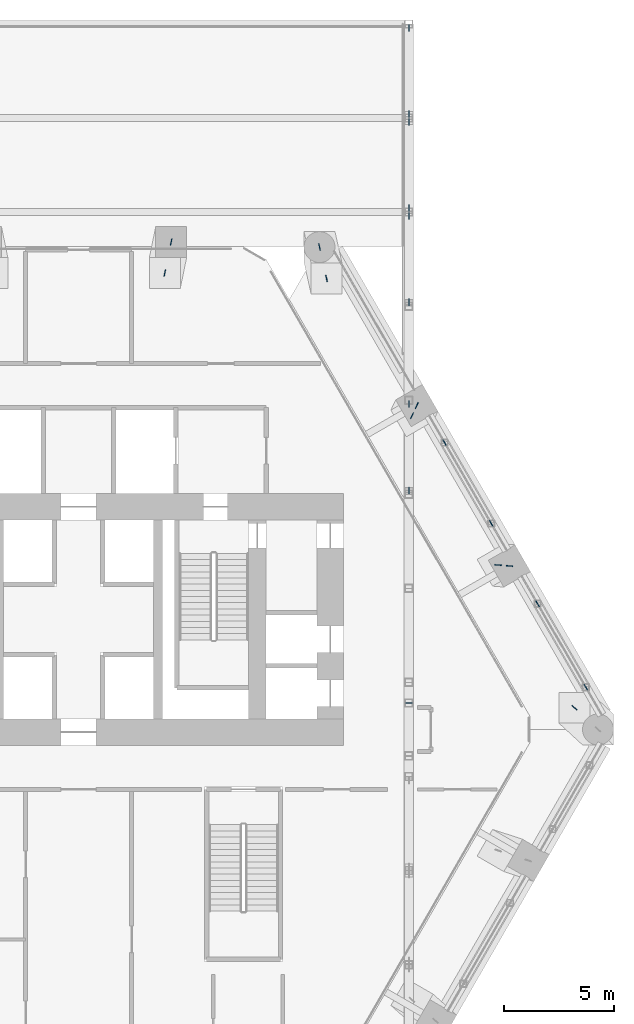
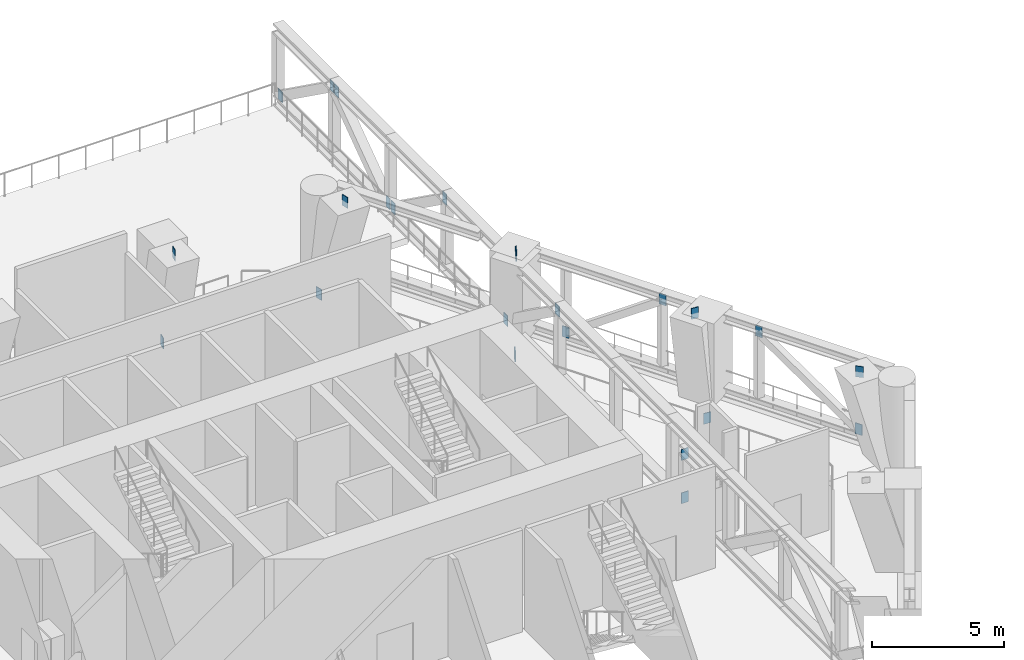
# One storey, part 15 of 20: 23 discrete accessories.
"""IFC4 building model written with IfcOpenShell, lengths in metres."""

from ifc_helpers import new_model, si_unit, direction, frame, origin, origin_2d, place, context, subcontext, project, spatial, rectangle, extrude, material, layer, layer_set, type_object, element, save


model = new_model("IFC4")

# Units and contexts
model_context = context("Model", 3, precision=1e-05, world=origin(), true_north=direction((0.0, 1.0)))
body_context = subcontext(model_context, "Body", "Model", "MODEL_VIEW")
ifc_project = project(units=[si_unit("LENGTHUNIT", "METRE"), si_unit("AREAUNIT", "SQUARE_METRE"), si_unit("VOLUMEUNIT", "CUBIC_METRE"), si_unit("PLANEANGLEUNIT", "RADIAN"), si_unit("MASSUNIT", "GRAM", prefix="KILO")], contexts=[model_context])

# Site, building, storey
site_placement = place(None, origin())
site = spatial("IfcSite", under=ifc_project, at=site_placement, CompositionType="ELEMENT")
building_placement = place(site_placement, origin())
building = spatial("IfcBuilding", under=site, at=building_placement, Name="Ostrander Bayou Hotel Tower", CompositionType="ELEMENT")
storey_placement = place(building_placement, frame((0.0, 0.0, 80.5)))
storey = spatial("IfcBuildingStorey", under=building, at=storey_placement, Name="L20", CompositionType="ELEMENT", Elevation=80.5)

# Discrete accessories
ifc_material = material(Name="Steel ASTM A572 Gr 50", Category="steel")
ifc_layer = layer(ifc_material, 0.030029296875)
ifc_layer_set = layer_set([ifc_layer], Name="GP1 gusset plate 30 mm")
discrete_accessory_type = type_object("IfcDiscreteAccessoryType", Name="GP1 gusset plate 30 mm", PredefinedType="BRACKET", material=ifc_layer_set)
for number, where, z_axis, x_axis, name in (
    (1, (22.980224609375, 0.933349609375, 0.157470703125), (0.0, 0.0, 1.0), (-0.5, 0.866025403784, 0.0), "GP1 gusset plate belt 13"),
    (2, (20.799072265625, 4.711181640625, 3.142578125), (0.0, 0.0, 1.0), (-0.5, 0.866025403784, 0.0), "GP1 gusset plate belt 14"),
    (3, (16.581787109375, 12.015869140625, 0.157470703125), (0.0, 0.0, 1.0), (0.5, -0.866025403784, 0.0), "GP1 gusset plate belt 15"),
    (4, (18.697021484375, 8.352294921875, 3.142578125), (0.0, 0.0, 1.0), (0.5, -0.866025403784, 0.0), "GP1 gusset plate belt 16"),
    (5, (14.965087890625, 30.808349609375, 0.247802734375), (0.0, 0.0, 1.0), (0.0, -1.0, 0.0), "GP1 gusset plate bar 25"),
    (6, (14.965087890625, 26.901611328125, 3.05224609375), (0.0, 0.0, 1.0), (0.0, -1.0, 0.0), "GP1 gusset plate bar 26"),
    (7, (14.965087890625, 22.63916015625, 0.247802734375), (0.0, 0.0, 1.0), (0.0, 1.0, 0.0), "GP1 gusset plate bar 27"),
    (8, (14.965087890625, 26.5458984375, 3.05224609375), (0.0, 0.0, 1.0), (0.0, 1.0, 0.0), "GP1 gusset plate bar 28"),
    (9, (14.965087890625, 22.28369140625, 0.247802734375), (0.0, 0.0, 1.0), (0.0, -1.0, 0.0), "GP1 gusset plate bar 29"),
    (10, (14.965087890625, 18.376708984375, 3.05224609375), (0.0, 0.0, 1.0), (0.0, -1.0, 0.0), "GP1 gusset plate bar 30"),
    (11, (14.965087890625, 13.7587890625, 0.247802734375), (0.0, 0.0, 1.0), (0.0, -1.0, 0.0), "GP1 gusset plate bar 31"),
    (12, (14.965087890625, 9.851806640625, 3.05224609375), (0.0, 0.0, 1.0), (0.0, -1.0, 0.0), "GP1 gusset plate bar 32"),
    (13, (14.965087890625, 0.218017578125, 0.247802734375), (0.0, 0.0, 1.0), (1.0, 0.0, 0.0), "GP1 gusset plate bar 33"),
    (14, (14.965087890625, 0.218017578125, 2.25), (0.0, 0.0, 1.0), (1.0, 0.0, 0.0), "GP1 gusset plate bar 34"),
    (15, (22.468994140625, 0.0, 3.550048828125), (0.0, 0.0, 1.0), (-0.735269577966, 0.677774776543, 0.0), "GP1 gusset plate belt 58"),
    (16, (10.916748046875, 20.872314453125, -1.449951171875), (0.0, 0.0, 1.0), (0.219369442007, -0.975641864576, 0.0), "GP1 gusset plate belt 59"),
    (17, (11.234619140625, 19.458740234375, 3.550048828125), (0.0, 0.0, 1.0), (0.219369442007, -0.975641864576, 0.0), "GP1 gusset plate belt 60"),
    (18, (4.1953125, 21.10009765625, -1.449951171875), (0.0, 0.0, 1.0), (-0.201966872507, -0.979392353661, 0.0), "GP1 gusset plate belt 61"),
    (19, (3.90673828125, 19.699951171875, 3.550048828125), (0.0, 0.0, 1.0), (-0.201966872507, -0.979392353661, 0.0), "GP1 gusset plate belt 62"),
    (20, (19.5205078125, 6.42578125, -1.449951171875), (0.0, 0.0, 1.0), (-0.996738158456, 0.080703429161, 0.0), "GP1 gusset plate belt 81"),
    (21, (19.01416015625, 6.466796875, 3.550048828125), (0.0, 0.0, 1.0), (-0.996738158456, 0.080703429161, 0.0), "GP1 gusset plate belt 82"),
    (22, (15.3251953125, 13.6923828125, -1.449951171875), (0.0, 0.0, 1.0), (-0.428619783775, -0.903484964433, 0.0), "GP1 gusset plate belt 83"),
    (23, (15.107421875, 13.2333984375, 3.550048828125), (0.0, 0.0, 1.0), (-0.428619783775, -0.903484964433, 0.0), "GP1 gusset plate belt 84"),
):
    element("IfcDiscreteAccessory", number, at=place(storey_placement, frame(where, z_axis=z_axis, x_axis=x_axis)), inside=storey, type_object=discrete_accessory_type, Name=name, PredefinedType="BRACKET", context=body_context, shape_type="SweptSolid", body=[
        extrude(rectangle(XDim=0.300048828125, YDim=0.030029296875, at=origin_2d()), origin(), (0.0, 0.0, 1.0), 0.5),
    ])

save(model, "model.ifc")
